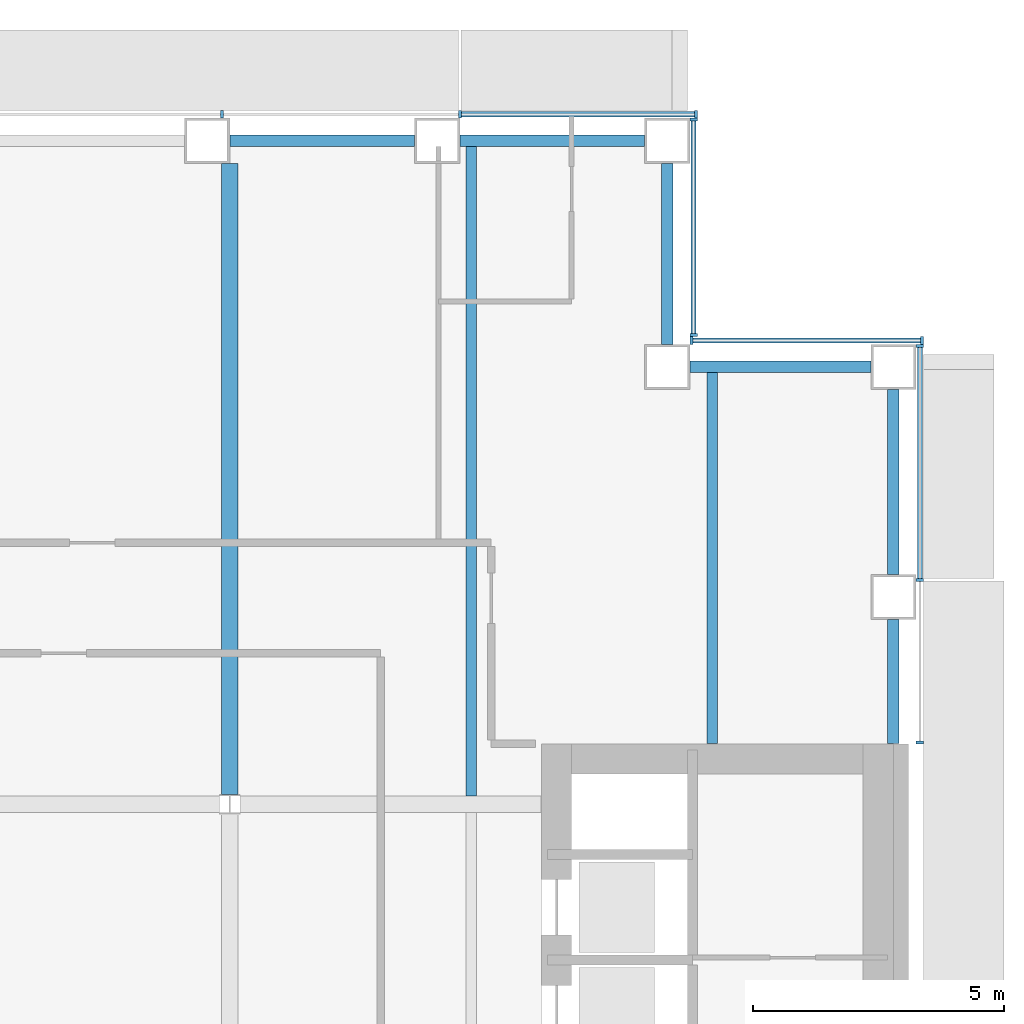
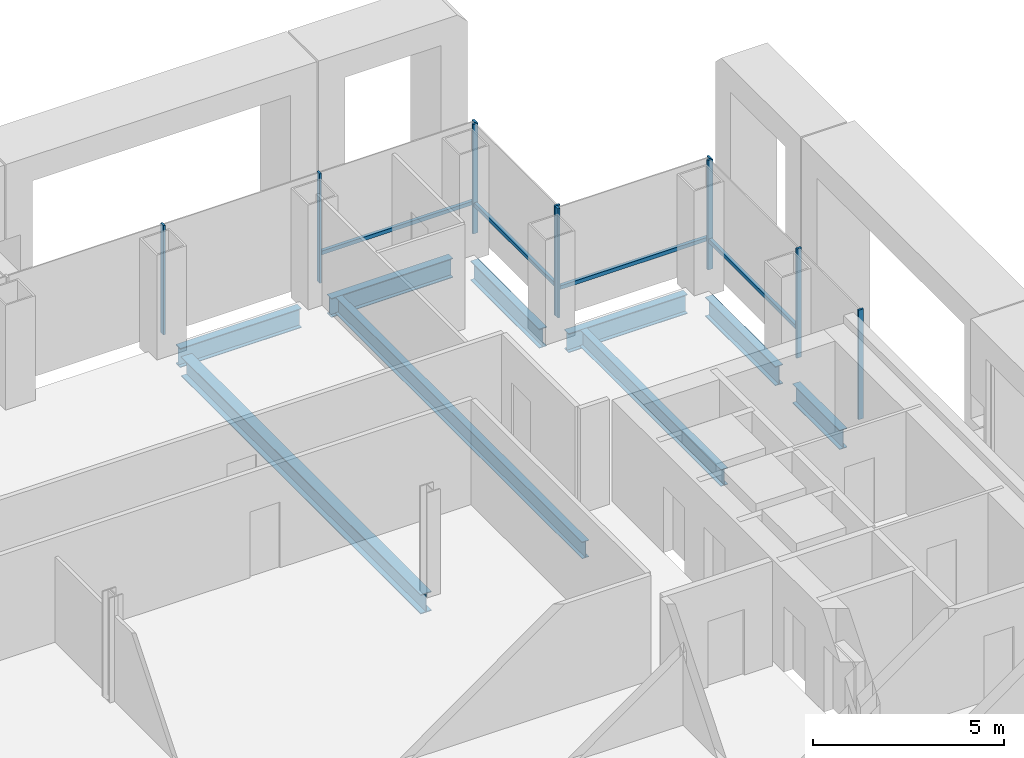
# One storey, part 8 of 19: 14 members, 9 beams, 4 elements without a shape of their own.
"""IFC4 building model written with IfcOpenShell, lengths in metres."""

from ifc_helpers import new_model, si_unit, direction, frame, origin, origin_2d, place, context, subcontext, project, spatial, rectangle, i_section, extrude, material, material_profile, profile_set, type_object, element, aggregate, save


model = new_model("IFC4")

# Units and contexts
model_context = context("Model", 3, precision=1e-05, world=origin(), true_north=direction((0.0, 1.0)))
body_context = subcontext(model_context, "Body", "Model", "MODEL_VIEW")
ifc_project = project(units=[si_unit("LENGTHUNIT", "METRE"), si_unit("AREAUNIT", "SQUARE_METRE"), si_unit("VOLUMEUNIT", "CUBIC_METRE"), si_unit("PLANEANGLEUNIT", "RADIAN"), si_unit("MASSUNIT", "GRAM", prefix="KILO")], contexts=[model_context])

# Site, building, storey
site_placement = place(None, origin())
site = spatial("IfcSite", under=ifc_project, at=site_placement, CompositionType="ELEMENT")
building_placement = place(site_placement, origin())
building = spatial("IfcBuilding", under=site, at=building_placement, Name="Cobrizo Arcos Hotel Tower", CompositionType="ELEMENT")
storey_placement = place(building_placement, frame((0.0, 0.0, 103.0)))
storey = spatial("IfcBuildingStorey", under=building, at=storey_placement, Name="L25", CompositionType="ELEMENT", Elevation=103.0)

# Curtain wall, members
ifc_material_1 = material(Name="Aluminium 6063-T6 anodised bronze", Category="aluminium")
curtain_wall_type = type_object("IfcCurtainWallType", Name="CW-A guest facade", PredefinedType="NOTDEFINED", material=ifc_material_1)
curtain_wall_1_placement = place(storey_placement, origin())
curtain_wall_1 = element("IfcCurtainWall", 1, at=curtain_wall_1_placement, inside=storey, type_object=curtain_wall_type, Name="CW-A L25 E face", PredefinedType="NOTDEFINED")
ifc_material_profile_1 = material_profile(ifc_material_1, rectangle(XDim=0.14990234375, YDim=0.06005859375, at=origin_2d()), Name="CW-A mullion 150x60")
ifc_profile_set_1 = profile_set([ifc_material_profile_1], Name="Aluminium 6063-T6 anodised bronze")
member_type_1 = type_object("IfcMemberType", Name="CW-A mullion 150x60", PredefinedType="MULLION", material=ifc_profile_set_1)
member_1_placement = place(storey_placement, frame((23.324951171875, 10.830078125, 0.0), z_axis=(0.0, 0.0, 1.0), x_axis=(1.0, 0.0, 0.0)))
member_1 = element("IfcMember", 2, at=member_1_placement, type_object=member_type_1, Name="CW-A mullion 1", PredefinedType="MULLION", context=body_context, shape_type="SweptSolid", body=[
    extrude(rectangle(XDim=0.14990234375, YDim=0.06005859375, at=origin_2d()), origin(), (0.0, 0.0, 1.0), 3.5),
])
member_2_placement = place(storey_placement, frame((23.324951171875, 14.0625, 0.0), z_axis=(0.0, 0.0, 1.0), x_axis=(1.0, 0.0, 0.0)))
member_2 = element("IfcMember", 3, at=member_2_placement, type_object=member_type_1, Name="CW-A mullion 2", PredefinedType="MULLION", context=body_context, shape_type="SweptSolid", body=[
    extrude(rectangle(XDim=0.14990234375, YDim=0.06005859375, at=origin_2d()), origin(), (0.0, 0.0, 1.0), 3.5),
])
member_3_placement = place(storey_placement, frame((23.324951171875, 18.719970703125, 0.0), z_axis=(0.0, 0.0, 1.0), x_axis=(1.0, 0.0, 0.0)))
member_3 = element("IfcMember", 4, at=member_3_placement, type_object=member_type_1, Name="CW-A mullion 3", PredefinedType="MULLION", context=body_context, shape_type="SweptSolid", body=[
    extrude(rectangle(XDim=0.14990234375, YDim=0.06005859375, at=origin_2d()), origin(), (0.0, 0.0, 1.0), 3.5),
])

curtain_wall_2_placement = place(storey_placement, origin())
curtain_wall_2 = element("IfcCurtainWall", 5, at=curtain_wall_2_placement, inside=storey, type_object=curtain_wall_type, Name="CW-A L25 N face", PredefinedType="NOTDEFINED")
member_4_placement = place(storey_placement, frame((23.3701171875, 18.824951171875, 0.0), z_axis=(0.0, 0.0, 1.0), x_axis=(0.0, 1.0, 0.0)))
member_4 = element("IfcMember", 6, at=member_4_placement, type_object=member_type_1, Name="CW-A mullion 1", PredefinedType="MULLION", context=body_context, shape_type="SweptSolid", body=[
    extrude(rectangle(XDim=0.14990234375, YDim=0.06005859375, at=origin_2d()), origin(), (0.0, 0.0, 1.0), 3.5),
])
member_5_placement = place(storey_placement, frame((18.780029296875, 18.824951171875, 0.0), z_axis=(0.0, 0.0, 1.0), x_axis=(0.0, 1.0, 0.0)))
member_5 = element("IfcMember", 7, at=member_5_placement, type_object=member_type_1, Name="CW-A mullion 2", PredefinedType="MULLION", context=body_context, shape_type="SweptSolid", body=[
    extrude(rectangle(XDim=0.14990234375, YDim=0.06005859375, at=origin_2d()), origin(), (0.0, 0.0, 1.0), 3.5),
])

curtain_wall_3_placement = place(storey_placement, origin())
curtain_wall_3 = element("IfcCurtainWall", 8, at=curtain_wall_3_placement, inside=storey, type_object=curtain_wall_type, Name="CW-A L25 E face", PredefinedType="NOTDEFINED")
member_6_placement = place(storey_placement, frame((18.824951171875, 18.929931640625, 0.0), z_axis=(0.0, 0.0, 1.0), x_axis=(1.0, 0.0, 0.0)))
member_6 = element("IfcMember", 9, at=member_6_placement, type_object=member_type_1, Name="CW-A mullion 1", PredefinedType="MULLION", context=body_context, shape_type="SweptSolid", body=[
    extrude(rectangle(XDim=0.14990234375, YDim=0.06005859375, at=origin_2d()), origin(), (0.0, 0.0, 1.0), 3.5),
])
member_7_placement = place(storey_placement, frame((18.824951171875, 23.219970703125, 0.0), z_axis=(0.0, 0.0, 1.0), x_axis=(1.0, 0.0, 0.0)))
member_7 = element("IfcMember", 10, at=member_7_placement, type_object=member_type_1, Name="CW-A mullion 2", PredefinedType="MULLION", context=body_context, shape_type="SweptSolid", body=[
    extrude(rectangle(XDim=0.14990234375, YDim=0.06005859375, at=origin_2d()), origin(), (0.0, 0.0, 1.0), 3.5),
])

curtain_wall_4_placement = place(storey_placement, origin())
curtain_wall_4 = element("IfcCurtainWall", 11, at=curtain_wall_4_placement, inside=storey, type_object=curtain_wall_type, Name="CW-A L25 N face", PredefinedType="NOTDEFINED")
member_8_placement = place(storey_placement, frame((18.8701171875, 23.324951171875, 0.0), z_axis=(0.0, 0.0, 1.0), x_axis=(0.0, 1.0, 0.0)))
member_8 = element("IfcMember", 12, at=member_8_placement, type_object=member_type_1, Name="CW-A mullion 1", PredefinedType="MULLION", context=body_context, shape_type="SweptSolid", body=[
    extrude(rectangle(XDim=0.14990234375, YDim=0.06005859375, at=origin_2d()), origin(), (0.0, 0.0, 1.0), 3.5),
])
member_9_placement = place(storey_placement, frame((14.175048828125, 23.324951171875, 0.0), z_axis=(0.0, 0.0, 1.0), x_axis=(0.0, 1.0, 0.0)))
member_9 = element("IfcMember", 13, at=member_9_placement, type_object=member_type_1, Name="CW-A mullion 2", PredefinedType="MULLION", context=body_context, shape_type="SweptSolid", body=[
    extrude(rectangle(XDim=0.14990234375, YDim=0.06005859375, at=origin_2d()), origin(), (0.0, 0.0, 1.0), 3.5),
])
member_10_placement = place(storey_placement, frame((9.449951171875, 23.324951171875, 0.0), z_axis=(0.0, 0.0, 1.0), x_axis=(0.0, 1.0, 0.0)))
member_10 = element("IfcMember", 14, at=member_10_placement, type_object=member_type_1, Name="CW-A mullion 3", PredefinedType="MULLION", context=body_context, shape_type="SweptSolid", body=[
    extrude(rectangle(XDim=0.14990234375, YDim=0.06005859375, at=origin_2d()), origin(), (0.0, 0.0, 1.0), 3.5),
])

# Member
ifc_material_profile_2 = material_profile(ifc_material_1, rectangle(XDim=0.10009765625, YDim=0.1201171875, at=origin_2d()), Name="CW-A transom 120x100")
ifc_profile_set_2 = profile_set([ifc_material_profile_2], Name="Aluminium 6063-T6 anodised bronze")
member_type_2 = type_object("IfcMemberType", Name="CW-A transom 120x100", PredefinedType="USERDEFINED", material=ifc_profile_set_2)
member_11_placement = place(storey_placement, frame((23.324951171875, 14.092529296875, 0.929931640625), z_axis=(0.0, 1.0, 0.0), x_axis=(-1.0, 0.0, 0.0)))
member_11 = element("IfcMember", 15, at=member_11_placement, type_object=member_type_2, Name="CW-A transom 992", ObjectType="TRANSOM", PredefinedType="USERDEFINED", context=body_context, shape_type="SweptSolid", body=[
    extrude(rectangle(XDim=0.10009765625, YDim=0.1201171875, at=origin_2d()), origin(), (0.0, 0.0, 1.0), 4.597412109375),
])

aggregate(curtain_wall_1, [member_1, member_2, member_3, member_11])

member_12_placement = place(storey_placement, frame((23.340087890625, 18.824951171875, 0.929931640625), z_axis=(-1.0, 0.0, 0.0), x_axis=(0.0, -1.0, 0.0)))
member_12 = element("IfcMember", 16, at=member_12_placement, type_object=member_type_2, Name="CW-A transom 993", ObjectType="TRANSOM", PredefinedType="USERDEFINED", context=body_context, shape_type="SweptSolid", body=[
    extrude(rectangle(XDim=0.10009765625, YDim=0.1201171875, at=origin_2d()), origin(), (0.0, 0.0, 1.0), 4.530029296875),
])

aggregate(curtain_wall_2, [member_4, member_5, member_12])

member_13_placement = place(storey_placement, frame((18.824951171875, 18.9599609375, 0.929931640625), z_axis=(0.0, 1.0, 0.0), x_axis=(-1.0, 0.0, 0.0)))
member_13 = element("IfcMember", 17, at=member_13_placement, type_object=member_type_2, Name="CW-A transom 994", ObjectType="TRANSOM", PredefinedType="USERDEFINED", context=body_context, shape_type="SweptSolid", body=[
    extrude(rectangle(XDim=0.10009765625, YDim=0.1201171875, at=origin_2d()), origin(), (0.0, 0.0, 1.0), 4.22998046875),
])

aggregate(curtain_wall_3, [member_6, member_7, member_13])

member_14_placement = place(storey_placement, frame((18.840087890625, 23.324951171875, 0.929931640625), z_axis=(-1.0, 0.0, 0.0), x_axis=(0.0, -1.0, 0.0)))
member_14 = element("IfcMember", 18, at=member_14_placement, type_object=member_type_2, Name="CW-A transom 995", ObjectType="TRANSOM", PredefinedType="USERDEFINED", context=body_context, shape_type="SweptSolid", body=[
    extrude(rectangle(XDim=0.10009765625, YDim=0.1201171875, at=origin_2d()), origin(), (0.0, 0.0, 1.0), 4.635009765625),
])

aggregate(curtain_wall_4, [member_8, member_9, member_10, member_14])

# Beams
ifc_material_2 = material(Name="Steel ASTM A992 Grade 50", Category="steel")
ifc_material_profile_3 = material_profile(ifc_material_2, i_section(OverallWidth=0.209228515625, OverallDepth=0.533447265625, WebThickness=0.01025390625, FlangeThickness=0.015625, at=origin_2d()), Name="W21X62")
ifc_profile_set_3 = profile_set([ifc_material_profile_3], Name="Steel ASTM A992 Grade 50")
beam_type_1 = type_object("IfcBeamType", Name="W21X62 joist", PredefinedType="JOIST", material=ifc_profile_set_3)
beam_1_placement = place(storey_placement, frame((14.39990234375, 9.763916015625, -0.416748046875), z_axis=(0.0, 1.0, 0.0), x_axis=(-1.0, 0.0, 0.0)))
element("IfcBeam", 19, at=beam_1_placement, inside=storey, type_object=beam_type_1, Name="Floor joist J1, L25, no. 018", PredefinedType="JOIST", context=body_context, shape_type="SweptSolid", body=[
    extrude(i_section(OverallWidth=0.209228515625, OverallDepth=0.533447265625, WebThickness=0.01025390625, FlangeThickness=0.015625, at=origin_2d()), origin(), (0.0, 0.0, 1.0), 12.946044921875),
])
beam_2_placement = place(storey_placement, frame((19.199951171875, 10.81005859375, -0.416748046875), z_axis=(0.0, 1.0, 0.0), x_axis=(-1.0, 0.0, 0.0)))
element("IfcBeam", 20, at=beam_2_placement, inside=storey, type_object=beam_type_1, Name="Floor joist J1, L25, no. 020", PredefinedType="JOIST", context=body_context, shape_type="SweptSolid", body=[
    extrude(i_section(OverallWidth=0.209228515625, OverallDepth=0.533447265625, WebThickness=0.01025390625, FlangeThickness=0.015625, at=origin_2d()), origin(), (0.0, 0.0, 1.0), 7.39990234375),
])
ifc_material_profile_4 = material_profile(ifc_material_2, i_section(OverallWidth=0.32763671875, OverallDepth=0.622314453125, WebThickness=0.015380859375, FlangeThickness=0.0244140625, at=origin_2d()), Name="W24X131")
ifc_profile_set_4 = profile_set([ifc_material_profile_4], Name="Steel ASTM A992 Grade 50")
beam_type_2 = type_object("IfcBeamType", Name="W24X131 girder", PredefinedType="BEAM", material=ifc_profile_set_4)
beam_3_placement = place(storey_placement, frame((9.60009765625, 9.79931640625, -0.461181640625), z_axis=(0.0, 1.0, 0.0), x_axis=(-1.0, 0.0, 0.0)))
element("IfcBeam", 21, at=beam_3_placement, inside=storey, type_object=beam_type_2, Name="Floor girder G1, L25, no. 024", PredefinedType="BEAM", context=body_context, shape_type="SweptSolid", body=[
    extrude(i_section(OverallWidth=0.32763671875, OverallDepth=0.622314453125, WebThickness=0.015380859375, FlangeThickness=0.0244140625, at=origin_2d()), origin(), (0.0, 0.0, 1.0), 12.55078125),
])
ifc_material_profile_5 = material_profile(ifc_material_2, i_section(OverallWidth=0.23046875, OverallDepth=0.6171875, WebThickness=0.01318359375, FlangeThickness=0.022216796875, at=origin_2d()), Name="W24X94")
ifc_profile_set_5 = profile_set([ifc_material_profile_5], Name="Steel ASTM A992 Grade 50")
beam_type_3 = type_object("IfcBeamType", Name="W24X94 spandrel", PredefinedType="SPANDREL", material=ifc_profile_set_5)
beam_4_placement = place(storey_placement, frame((22.800048828125, 10.81005859375, -0.45849609375), z_axis=(0.0, 1.0, 0.0), x_axis=(-1.0, 0.0, 0.0)))
element("IfcBeam", 22, at=beam_4_placement, inside=storey, type_object=beam_type_3, Name="Spandrel beam W24X94, L25, no. 013", PredefinedType="SPANDREL", context=body_context, shape_type="SweptSolid", body=[
    extrude(i_section(OverallWidth=0.23046875, OverallDepth=0.6171875, WebThickness=0.01318359375, FlangeThickness=0.022216796875, at=origin_2d()), origin(), (0.0, 0.0, 1.0), 2.46484375),
])
beam_5_placement = place(storey_placement, frame((22.800048828125, 14.175048828125, -0.45849609375), z_axis=(0.0, 1.0, 0.0), x_axis=(-1.0, 0.0, 0.0)))
element("IfcBeam", 23, at=beam_5_placement, inside=storey, type_object=beam_type_3, Name="Spandrel beam W24X94, L25, no. 014", PredefinedType="SPANDREL", context=body_context, shape_type="SweptSolid", body=[
    extrude(i_section(OverallWidth=0.23046875, OverallDepth=0.6171875, WebThickness=0.01318359375, FlangeThickness=0.022216796875, at=origin_2d()), origin(), (0.0, 0.0, 1.0), 3.675048828125),
])
for number, where, z_axis, x_axis, name in (
    (24, (22.35009765625, 18.300048828125, -0.45849609375), (-1.0, 0.0, 0.0), (0.0, -1.0, 0.0), "Spandrel beam W24X94, L25, no. 015"),
    (25, (18.300048828125, 18.75, -0.45849609375), (0.0, 1.0, 0.0), (-1.0, 0.0, 0.0), "Spandrel beam W24X94, L25, no. 016"),
):
    element("IfcBeam", number, at=place(storey_placement, frame(where, z_axis=z_axis, x_axis=x_axis)), inside=storey, type_object=beam_type_3, Name=name, PredefinedType="SPANDREL", context=body_context, shape_type="SweptSolid", body=[
        extrude(i_section(OverallWidth=0.23046875, OverallDepth=0.6171875, WebThickness=0.01318359375, FlangeThickness=0.022216796875, at=origin_2d()), origin(), (0.0, 0.0, 1.0), 3.60009765625),
    ])
beam_6_placement = place(storey_placement, frame((17.85009765625, 22.800048828125, -0.45849609375), z_axis=(-1.0, 0.0, 0.0), x_axis=(0.0, -1.0, 0.0)))
element("IfcBeam", 26, at=beam_6_placement, inside=storey, type_object=beam_type_3, Name="Spandrel beam W24X94, L25, no. 017", PredefinedType="SPANDREL", context=body_context, shape_type="SweptSolid", body=[
    extrude(i_section(OverallWidth=0.23046875, OverallDepth=0.6171875, WebThickness=0.01318359375, FlangeThickness=0.022216796875, at=origin_2d()), origin(), (0.0, 0.0, 1.0), 3.675048828125),
])
beam_7_placement = place(storey_placement, frame((13.27490234375, 22.800048828125, -0.45849609375), z_axis=(-1.0, 0.0, 0.0), x_axis=(0.0, -1.0, 0.0)))
element("IfcBeam", 27, at=beam_7_placement, inside=storey, type_object=beam_type_3, Name="Spandrel beam W24X94, L25, no. 018", PredefinedType="SPANDREL", context=body_context, shape_type="SweptSolid", body=[
    extrude(i_section(OverallWidth=0.23046875, OverallDepth=0.6171875, WebThickness=0.01318359375, FlangeThickness=0.022216796875, at=origin_2d()), origin(), (0.0, 0.0, 1.0), 3.6748046875),
])

save(model, "model.ifc")
